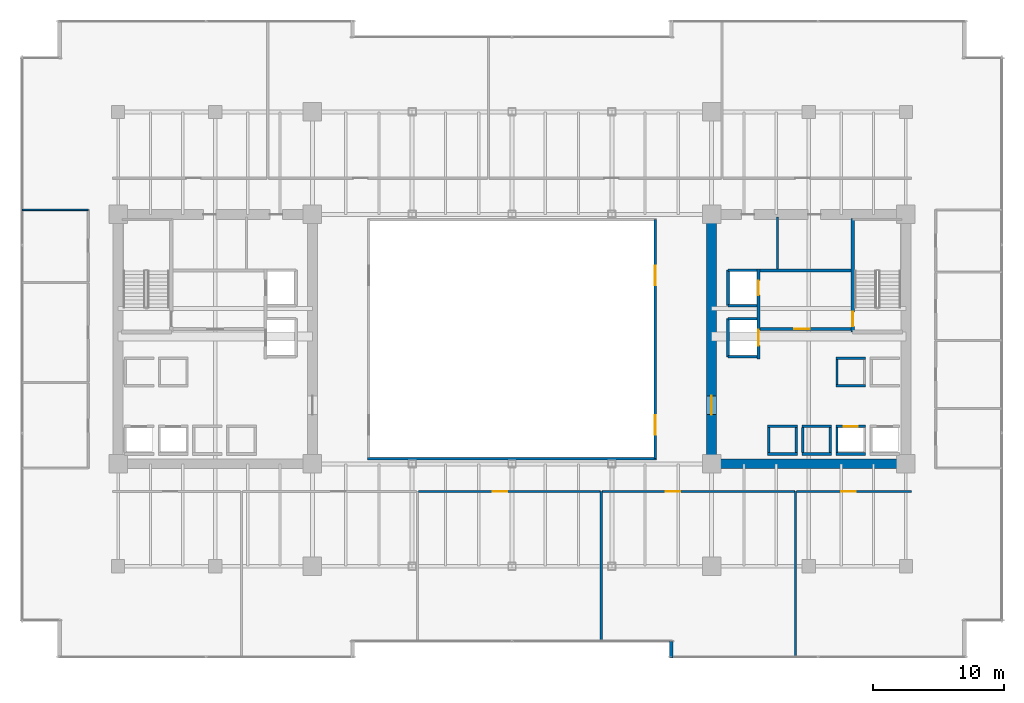
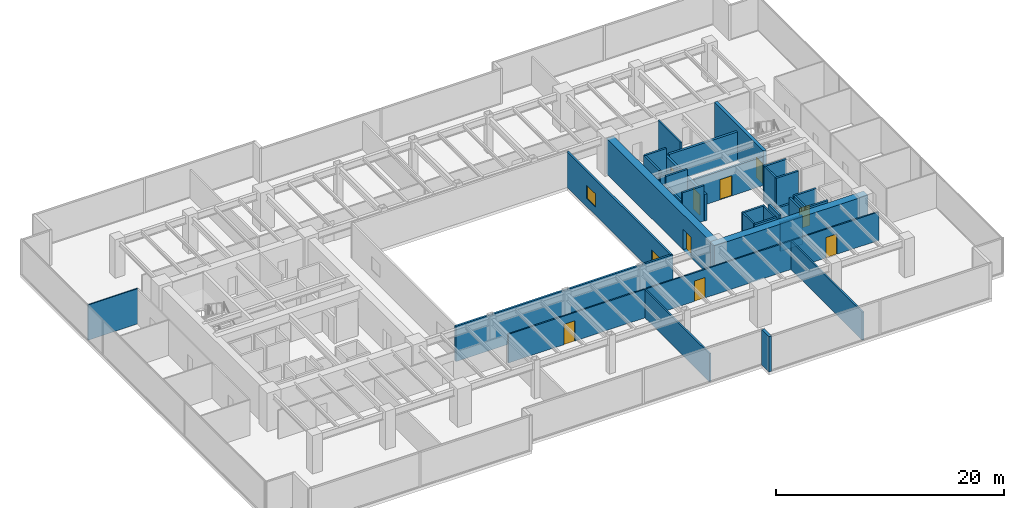
# One storey, part 30 of 35: 36 walls, 9 doors, 2 windows, 11 openings.
"""IFC4 building model written with IfcOpenShell, lengths in metres."""

from ifc_helpers import new_model, si_unit, direction, frame, frame_2d, origin, place, context, subcontext, project, spatial, rectangle, extrude, source, transform, mapped, material, layer, layer_set, type_object, type_shapes, element, fill, save


model = new_model("IFC4")

# Units and contexts
model_context = context("Model", 3, precision=1e-05, world=origin(), true_north=direction((0.0, 1.0)))
body_context = subcontext(model_context, "Body", "Model", "MODEL_VIEW")
ifc_project = project(units=[si_unit("LENGTHUNIT", "METRE"), si_unit("AREAUNIT", "SQUARE_METRE"), si_unit("VOLUMEUNIT", "CUBIC_METRE"), si_unit("PLANEANGLEUNIT", "RADIAN"), si_unit("MASSUNIT", "GRAM", prefix="KILO")], contexts=[model_context])

# Site, building, storey
site_placement = place(None, origin())
site = spatial("IfcSite", under=ifc_project, at=site_placement, CompositionType="ELEMENT")
building_placement = place(site_placement, origin())
building = spatial("IfcBuilding", under=site, at=building_placement, Name="Haelvirn Gate Laboratories", CompositionType="ELEMENT")
storey_placement = place(building_placement, frame((0.0, 0.0, 58.0)))
storey = spatial("IfcBuildingStorey", under=building, at=storey_placement, Name="L14", CompositionType="ELEMENT", Elevation=58.0)

# Walls
ifc_material_1 = material(Name="Thermally-broken bronze aluminium rainscreen & mineral wool", Category="aluminium")
ifc_layer_1 = layer(ifc_material_1, 0.280029296875, Name="EW-TERR-280")
ifc_layer_set_1 = layer_set([ifc_layer_1], Name="Thermally-broken bronze aluminium rainscreen & mineral wool")
wall_type_1 = type_object("IfcWallType", Name="EW-TERR-280", PredefinedType="STANDARD", material=ifc_layer_set_1)
wall_1_placement = place(storey_placement, frame((49.5400390625, 1.2880859375, 0.0), z_axis=(0.0, 0.0, 1.0), x_axis=(0.0, -1.0, 0.0)))
element("IfcWall", 1, at=wall_1_placement, inside=storey, type_object=wall_type_1, Name="L14 Atrium Recess Bronze Return Wall 03", PredefinedType="STANDARD", context=body_context, shape_type="SweptSolid", body=[
    extrude(rectangle(XDim=1.2880859375, YDim=0.280029296875, at=frame_2d((0.64404296875, 0.0))), origin(), (0.0, 0.0, 1.0), 3.780029296875),
])
ifc_material_2 = material(Name="Double-layer acoustic gypsum laboratory partition", Category="gypsum")
ifc_layer_2 = layer(ifc_material_2, 0.159912109375, Name="IW-ACOUST-160")
ifc_layer_set_2 = layer_set([ifc_layer_2], Name="Double-layer acoustic gypsum laboratory partition")
wall_type_2 = type_object("IfcWallType", Name="IW-ACOUST-160", PredefinedType="PARTITIONING", material=ifc_layer_set_2)
wall_2_placement = place(storey_placement, frame((44.199951171875, 1.31005859375, 0.0), z_axis=(0.0, 0.0, 1.0), x_axis=(0.0, 1.0, 0.0)))
element("IfcWall", 2, at=wall_2_placement, inside=storey, type_object=wall_type_2, Name="L14 Interior Wall IW-L14-SDIV-03", PredefinedType="PARTITIONING", context=body_context, shape_type="SweptSolid", body=[
    extrude(rectangle(XDim=11.3798828125, YDim=0.159912109375, at=frame_2d((5.68994140625, 0.0))), origin(), (0.0, 0.0, 1.0), 3.014892578125),
])
wall_3_placement = place(storey_placement, frame((59.0, 0.110107421875, 0.0), z_axis=(0.0, 0.0, 1.0), x_axis=(0.0, 1.0, 0.0)))
element("IfcWall", 3, at=wall_3_placement, inside=storey, type_object=wall_type_2, Name="L14 Interior Wall IW-L14-SDIV-04", PredefinedType="PARTITIONING", context=body_context, shape_type="SweptSolid", body=[
    extrude(rectangle(XDim=12.579833984375, YDim=0.159912109375, at=frame_2d((6.2900390625, 0.0))), origin(), (0.0, 0.0, 1.0), 3.014892578125),
])

# Wall, openings, windows
ifc_material_3 = material(Name="Tempered fire-rated borosilicate glass & anodised aluminium", Category="aluminium")
ifc_layer_3 = layer(ifc_material_3, 0.195068359375, Name="IW-GLAZ-200")
ifc_layer_set_3 = layer_set([ifc_layer_3], Name="Tempered fire-rated borosilicate glass & anodised aluminium")
wall_type_3 = type_object("IfcWallType", Name="IW-GLAZ-200", PredefinedType="SOLIDWALL", material=ifc_layer_set_3)
wall_4_placement = place(storey_placement, frame((48.300048828125, 15.199951171875, 0.0), z_axis=(0.0, 0.0, 1.0), x_axis=(0.0, 1.0, 0.0)))
wall_4 = element("IfcWall", 4, at=wall_4_placement, inside=storey, type_object=wall_type_3, Name="L14 Interior Wall IW-L14-ATRIUM-E", PredefinedType="SOLIDWALL", context=body_context, shape_type="SweptSolid", body=[
    extrude(rectangle(XDim=18.199951171875, YDim=0.195068359375, at=frame_2d((9.10009765625, 0.0))), origin(), (0.0, 0.0, 1.0), 3.780029296875),
])
opening_1_placement = place(wall_4_placement, frame((1.800048828125, 0.0, 0.89990234375)))
opening_1 = element("IfcOpeningElement", 5, at=opening_1_placement, cuts=wall_4, Name="Opening W5", PredefinedType="OPENING", context=body_context, shape_type="SweptSolid", body=[
    extrude(rectangle(XDim=1.5, YDim=1.39990234375, at=frame_2d((0.75, 0.699951171875))), frame((0.0, 0.107421875, 0.0), z_axis=(0.0, -1.0, 0.0), x_axis=(1.0, 0.0, 0.0)), (0.0, 0.0, 1.0), 0.215087890625),
])
opening_2_placement = place(wall_4_placement, frame((13.199951171875, 0.0, 0.89990234375)))
opening_2 = element("IfcOpeningElement", 6, at=opening_2_placement, cuts=wall_4, Name="Opening W5", PredefinedType="OPENING", context=body_context, shape_type="SweptSolid", body=[
    extrude(rectangle(XDim=1.5, YDim=1.39990234375, at=frame_2d((0.75, 0.699951171875))), frame((0.0, 0.107421875, 0.0), z_axis=(0.0, -1.0, 0.0), x_axis=(1.0, 0.0, 0.0)), (0.0, 0.0, 1.0), 0.215087890625),
])
ifc_material_4 = material(Name="Fire-rated EI 120 borosilicate atrium vision glazing", Category="glass")
window_type = type_object("IfcWindowType", Name="WN-ATR-1500", PartitioningType="SINGLE_PANEL", PredefinedType="WINDOW", material=ifc_material_4)
shared_shape_1 = source(origin(), body_context, "Body", "SweptSolid", [
    extrude(rectangle(XDim=1.5, YDim=1.39990234375, at=frame_2d((0.75, 0.699951171875))), frame((0.0, 0.030029296875, 0.0), z_axis=(0.0, -1.0, 0.0), x_axis=(1.0, 0.0, 0.0)), (0.0, 0.0, 1.0), 0.06005859375),
])
type_shapes(window_type, [shared_shape_1])
window_1_placement = place(opening_1_placement, origin())
window_1 = element("IfcWindow", 7, at=window_1_placement, inside=storey, type_object=window_type, Name="L14 Atrium Observation Window 1", OverallHeight=1.39990234375, OverallWidth=1.5, PartitioningType="SINGLE_PANEL", PredefinedType="WINDOW", context=body_context, shape_type="MappedRepresentation", body=[
    mapped(shared_shape_1, transform((0.0, 0.0, 0.0), scale=1.0)),
])
fill(opening_1, window_1)
window_2_placement = place(opening_2_placement, origin())
window_2 = element("IfcWindow", 8, at=window_2_placement, inside=storey, type_object=window_type, Name="L14 Atrium Observation Window 2", OverallHeight=1.39990234375, OverallWidth=1.5, PartitioningType="SINGLE_PANEL", PredefinedType="WINDOW", context=body_context, shape_type="MappedRepresentation", body=[
    mapped(shared_shape_1, transform((0.0, 0.0, 0.0), scale=1.0)),
])
fill(opening_2, window_2)

# Walls
wall_5_placement = place(storey_placement, frame((26.39990234375, 15.199951171875, 0.0), z_axis=(0.0, 0.0, 1.0), x_axis=(1.0, 0.0, 0.0)))
element("IfcWall", 9, at=wall_5_placement, inside=storey, type_object=wall_type_3, Name="L14 Interior Wall IW-L14-ATRIUM-S", PredefinedType="SOLIDWALL", context=body_context, shape_type="SweptSolid", body=[
    extrude(rectangle(XDim=22.0, YDim=0.195068359375, at=frame_2d((11.0, 0.0))), origin(), (0.0, 0.0, 1.0), 3.780029296875),
])
ifc_material_5 = material(Name="Lightweight acoustic gypsum board partition", Category="gypsum")
ifc_layer_4 = layer(ifc_material_5, 0.1201171875, Name="IW-PART-120")
ifc_layer_set_4 = layer_set([ifc_layer_4], Name="Lightweight acoustic gypsum board partition")
wall_type_4 = type_object("IfcWallType", Name="IW-PART-120", PredefinedType="PARTITIONING", material=ifc_layer_set_4)
wall_6_placement = place(storey_placement, frame((0.110107421875, 34.135009765625, 0.0), z_axis=(0.0, 0.0, 1.0), x_axis=(1.0, 0.0, 0.0)))
element("IfcWall", 10, at=wall_6_placement, inside=storey, type_object=wall_type_4, Name="L14 Interior Wall IW-L14-WCAP-N", PredefinedType="PARTITIONING", context=body_context, shape_type="SweptSolid", body=[
    extrude(rectangle(XDim=5.019775390625, YDim=0.1201171875, at=frame_2d((2.509765625, 0.0))), origin(), (0.0, 0.0, 1.0), 3.780029296875),
])

# Wall, opening, door
ifc_material_6 = material(Name="Acoustic mineral-wool gypsum board partition", Category="gypsum")
ifc_layer_5 = layer(ifc_material_6, 0.139892578125, Name="IW-PART-140")
ifc_layer_set_5 = layer_set([ifc_layer_5], Name="Acoustic mineral-wool gypsum board partition")
wall_type_5 = type_object("IfcWallType", Name="IW-PART-140", PredefinedType="PARTITIONING", material=ifc_layer_set_5)
wall_7_placement = place(storey_placement, frame((30.280029296875, 12.68994140625, 0.0), z_axis=(0.0, 0.0, 1.0), x_axis=(1.0, 0.0, 0.0)))
wall_7 = element("IfcWall", 11, at=wall_7_placement, inside=storey, type_object=wall_type_5, Name="L14 Interior Wall IW-L14-SCORR-03", PredefinedType="PARTITIONING", context=body_context, shape_type="SweptSolid", body=[
    extrude(rectangle(XDim=13.840087890625, YDim=0.139892578125, at=frame_2d((6.919921875, 0.0))), origin(), (0.0, 0.0, 1.0), 3.06494140625),
])
opening_3_placement = place(wall_7_placement, frame((5.647705078125, 0.0, 0.0)))
opening_3 = element("IfcOpeningElement", 12, at=opening_3_placement, cuts=wall_7, Name="Opening D1", PredefinedType="OPENING", context=body_context, shape_type="SweptSolid", body=[
    extrude(rectangle(XDim=1.10009765625, YDim=2.179931640625, at=frame_2d((0.550048828125, 1.08984375))), frame((0.0, 0.080078125, 0.0), z_axis=(0.0, -1.0, 0.0), x_axis=(1.0, 0.0, 0.0)), (0.0, 0.0, 1.0), 0.159912109375),
])
ifc_material_7 = material(Name="Vision-panel acoustic solid-core timber lab door", Category="wood")
door_type_1 = type_object("IfcDoorType", Name="DR-LAB-1100", OperationType="NOTDEFINED", PredefinedType="DOOR", material=ifc_material_7)
shared_shape_2 = source(origin(), body_context, "Body", "SweptSolid", [
    extrude(rectangle(XDim=1.10009765625, YDim=2.179931640625, at=frame_2d((0.550048828125, 1.08984375))), frame((0.0, 0.02490234375, 0.0), z_axis=(0.0, -1.0, 0.0), x_axis=(1.0, 0.0, 0.0)), (0.0, 0.0, 1.0), 0.050048828125),
])
type_shapes(door_type_1, [shared_shape_2])
door_1_placement = place(opening_3_placement, origin())
door_1 = element("IfcDoor", 13, at=door_1_placement, inside=storey, type_object=door_type_1, Name="L14 Peer-Review Seminar Room Door S3", OperationType="SINGLE_SWING_LEFT", OverallHeight=2.179931640625, OverallWidth=1.10009765625, PredefinedType="DOOR", context=body_context, shape_type="MappedRepresentation", body=[
    mapped(shared_shape_2, transform((0.0, 0.0, 0.0), scale=1.0)),
])
fill(opening_3, door_1)

wall_8_placement = place(storey_placement, frame((44.280029296875, 12.68994140625, 0.0), z_axis=(0.0, 0.0, 1.0), x_axis=(1.0, 0.0, 0.0)))
wall_8 = element("IfcWall", 14, at=wall_8_placement, inside=storey, type_object=wall_type_5, Name="L14 Interior Wall IW-L14-SCORR-04", PredefinedType="PARTITIONING", context=body_context, shape_type="SweptSolid", body=[
    extrude(rectangle(XDim=14.639892578125, YDim=0.139892578125, at=frame_2d((7.31982421875, 0.0))), origin(), (0.0, 0.0, 1.0), 3.06494140625),
])
opening_4_placement = place(wall_8_placement, frame((4.843994140625, 0.0, 0.0)))
opening_4 = element("IfcOpeningElement", 15, at=opening_4_placement, cuts=wall_8, Name="Opening D1", PredefinedType="OPENING", context=body_context, shape_type="SweptSolid", body=[
    extrude(rectangle(XDim=1.10009765625, YDim=2.179931640625, at=frame_2d((0.550048828125, 1.08984375))), frame((0.0, 0.080078125, 0.0), z_axis=(0.0, -1.0, 0.0), x_axis=(1.0, 0.0, 0.0)), (0.0, 0.0, 1.0), 0.159912109375),
])
door_2_placement = place(opening_4_placement, origin())
door_2 = element("IfcDoor", 16, at=door_2_placement, inside=storey, type_object=door_type_1, Name="L14 Colloquium Conference Room Door S4", OperationType="SINGLE_SWING_RIGHT", OverallHeight=2.179931640625, OverallWidth=1.10009765625, PredefinedType="DOOR", context=body_context, shape_type="MappedRepresentation", body=[
    mapped(shared_shape_2, transform((0.0, 0.0, 0.0), scale=1.0)),
])
fill(opening_4, door_2)

wall_9_placement = place(storey_placement, frame((59.080078125, 12.68994140625, 0.0), z_axis=(0.0, 0.0, 1.0), x_axis=(1.0, 0.0, 0.0)))
wall_9 = element("IfcWall", 17, at=wall_9_placement, inside=storey, type_object=wall_type_5, Name="L14 Interior Wall IW-L14-SCORR-05", PredefinedType="PARTITIONING", context=body_context, shape_type="SweptSolid", body=[
    extrude(rectangle(XDim=8.739990234375, YDim=0.139892578125, at=frame_2d((4.3701171875, 0.0))), origin(), (0.0, 0.0, 1.0), 3.06494140625),
])
opening_5_placement = place(wall_9_placement, frame((3.403564453125, 0.0, 0.0)))
opening_5 = element("IfcOpeningElement", 18, at=opening_5_placement, cuts=wall_9, Name="Opening D1", PredefinedType="OPENING", context=body_context, shape_type="SweptSolid", body=[
    extrude(rectangle(XDim=1.10009765625, YDim=2.179931640625, at=frame_2d((0.550048828125, 1.08984375))), frame((0.0, 0.080078125, 0.0), z_axis=(0.0, -1.0, 0.0), x_axis=(1.0, 0.0, 0.0)), (0.0, 0.0, 1.0), 0.159912109375),
])
door_3_placement = place(opening_5_placement, origin())
door_3 = element("IfcDoor", 19, at=door_3_placement, inside=storey, type_object=door_type_1, Name="L14 Occupational Biosafety Clinic Door S5", OperationType="SINGLE_SWING_LEFT", OverallHeight=2.179931640625, OverallWidth=1.10009765625, PredefinedType="DOOR", context=body_context, shape_type="MappedRepresentation", body=[
    mapped(shared_shape_2, transform((0.0, 0.0, 0.0), scale=1.0)),
])
fill(opening_5, door_3)

# Walls
ifc_material_8 = material(Name="Cement-board restroom plumbing chase wall", Category="gypsum")
ifc_layer_6 = layer(ifc_material_8, 0.155029296875, Name="IW-PLUMB-160")
ifc_layer_set_6 = layer_set([ifc_layer_6], Name="Cement-board restroom plumbing chase wall")
wall_type_6 = type_object("IfcWallType", Name="IW-PLUMB-160", PredefinedType="PLUMBINGWALL", material=ifc_layer_set_6)
wall_10_placement = place(storey_placement, frame((57.610107421875, 29.64990234375, 0.0), z_axis=(0.0, 0.0, 1.0), x_axis=(0.0, 1.0, 0.0)))
element("IfcWall", 20, at=wall_10_placement, inside=storey, type_object=wall_type_6, Name="L14 Interior Wall IW-L14-E-CDIV-1", PredefinedType="PLUMBINGWALL", context=body_context, shape_type="SweptSolid", body=[
    extrude(rectangle(XDim=3.93017578125, YDim=0.155029296875, at=frame_2d((1.965087890625, 0.0))), origin(), (0.0, 0.0, 1.0), 3.780029296875),
])
ifc_material_9 = material(Name="Concrete C40/50", Category="concrete")
ifc_layer_7 = layer(ifc_material_9, 0.179931640625, Name="IW-SHAFT-180")
ifc_layer_set_7 = layer_set([ifc_layer_7], Name="Concrete C40/50")
wall_type_7 = type_object("IfcWallType", Name="IW-SHAFT-180", PredefinedType="SOLIDWALL", material=ifc_layer_set_7)
for number, where, z_axis, x_axis, name in (
    (21, (62.14990234375, 15.64990234375, 0.0), (0.0, 0.0, 1.0), (0.0, 1.0, 0.0), "L14 Interior Wall IW-L14-PL4-SD"),
    (22, (59.550048828125, 15.64990234375, 0.0), (0.0, 0.0, 1.0), (0.0, 1.0, 0.0), "L14 Interior Wall IW-L14-PL7-SD"),
    (23, (61.64990234375, 15.64990234375, 0.0), (0.0, 0.0, 1.0), (0.0, 1.0, 0.0), "L14 Interior Wall IW-L14-PL7-SDE"),
    (24, (56.949951171875, 15.64990234375, 0.0), (0.0, 0.0, 1.0), (0.0, 1.0, 0.0), "L14 Interior Wall IW-L14-PL8-SD"),
    (25, (59.050048828125, 15.64990234375, 0.0), (0.0, 0.0, 1.0), (0.0, 1.0, 0.0), "L14 Interior Wall IW-L14-PL8-SDE"),
):
    element("IfcWall", number, at=place(storey_placement, frame(where, z_axis=z_axis, x_axis=x_axis)), inside=storey, type_object=wall_type_7, Name=name, PredefinedType="SOLIDWALL", context=body_context, shape_type="SweptSolid", body=[
        extrude(rectangle(XDim=1.900146484375, YDim=0.179931640625, at=frame_2d((0.9501953125, 0.0))), origin(), (0.0, 0.0, 1.0), 3.780029296875),
    ])
wall_11_placement = place(storey_placement, frame((62.14990234375, 20.85009765625, 0.0), z_axis=(0.0, 0.0, 1.0), x_axis=(0.0, 1.0, 0.0)))
element("IfcWall", 26, at=wall_11_placement, inside=storey, type_object=wall_type_7, Name="L14 Interior Wall IW-L14-PL12-SD", PredefinedType="SOLIDWALL", context=body_context, shape_type="SweptSolid", body=[
    extrude(rectangle(XDim=1.89990234375, YDim=0.179931640625, at=frame_2d((0.949951171875, 0.0))), origin(), (0.0, 0.0, 1.0), 3.780029296875),
])

# Wall, opening, door
ifc_layer_8 = layer(ifc_material_9, 0.199951171875, Name="IW-SHAFT-200")
ifc_layer_set_8 = layer_set([ifc_layer_8], Name="Concrete C40/50")
wall_type_8 = type_object("IfcWallType", Name="IW-SHAFT-200", PredefinedType="SOLIDWALL", material=ifc_layer_set_8)
wall_12_placement = place(storey_placement, frame((62.070068359375, 17.64990234375, 0.0), z_axis=(0.0, 0.0, 1.0), x_axis=(1.0, 0.0, 0.0)))
wall_12 = element("IfcWall", 27, at=wall_12_placement, inside=storey, type_object=wall_type_8, Name="L14 Interior Wall IW-L14-PL4-FR", PredefinedType="SOLIDWALL", context=body_context, shape_type="SweptSolid", body=[
    extrude(rectangle(XDim=2.260009765625, YDim=0.199951171875, at=frame_2d((1.1298828125, 0.0))), origin(), (0.0, 0.0, 1.0), 3.780029296875),
])
opening_6_placement = place(wall_12_placement, frame((0.580078125, 0.0, 0.0)))
opening_6 = element("IfcOpeningElement", 28, at=opening_6_placement, cuts=wall_12, Name="Opening LD2", PredefinedType="OPENING", context=body_context, shape_type="SweptSolid", body=[
    extrude(rectangle(XDim=1.10009765625, YDim=2.219970703125, at=frame_2d((0.550048828125, 1.10986328125))), frame((0.0, 0.10986328125, 0.0), z_axis=(0.0, -1.0, 0.0), x_axis=(1.0, 0.0, 0.0)), (0.0, 0.0, 1.0), 0.219970703125),
])
ifc_material_10 = material(Name="Bronze stainless 316L sliding lift landing door")
door_type_2 = type_object("IfcDoorType", Name="DR-LD-1100", OperationType="NOTDEFINED", PredefinedType="USERDEFINED", material=ifc_material_10)
shared_shape_3 = source(origin(), body_context, "Body", "SweptSolid", [
    extrude(rectangle(XDim=1.10009765625, YDim=2.219970703125, at=frame_2d((0.550048828125, 1.10986328125))), frame((0.0, 0.02490234375, 0.0), z_axis=(0.0, -1.0, 0.0), x_axis=(1.0, 0.0, 0.0)), (0.0, 0.0, 1.0), 0.050048828125),
])
type_shapes(door_type_2, [shared_shape_3])
door_4_placement = place(opening_6_placement, origin())
door_4 = element("IfcDoor", 29, at=door_4_placement, inside=storey, type_object=door_type_2, Name="L14 Passenger Lift PL4 Landing Door", ObjectType="LANDING_DOOR", OperationType="SLIDING_TO_RIGHT", OverallHeight=2.219970703125, OverallWidth=1.10009765625, PredefinedType="USERDEFINED", context=body_context, shape_type="MappedRepresentation", body=[
    mapped(shared_shape_3, transform((0.0, 0.0, 0.0), scale=1.0)),
])
fill(opening_6, door_4)

# Walls
wall_13_placement = place(storey_placement, frame((62.070068359375, 15.550048828125, 0.0), z_axis=(0.0, 0.0, 1.0), x_axis=(1.0, 0.0, 0.0)))
element("IfcWall", 30, at=wall_13_placement, inside=storey, type_object=wall_type_8, Name="L14 Interior Wall IW-L14-PL4-BK", PredefinedType="SOLIDWALL", context=body_context, shape_type="SweptSolid", body=[
    extrude(rectangle(XDim=2.260009765625, YDim=0.199951171875, at=frame_2d((1.1298828125, 0.0))), origin(), (0.0, 0.0, 1.0), 3.780029296875),
])
for number, where, z_axis, x_axis, name in (
    (31, (59.469970703125, 17.64990234375, 0.0), (0.0, 0.0, 1.0), (1.0, 0.0, 0.0), "L14 Interior Wall IW-L14-PL7-FR"),
    (32, (59.469970703125, 15.550048828125, 0.0), (0.0, 0.0, 1.0), (1.0, 0.0, 0.0), "L14 Interior Wall IW-L14-PL7-BK"),
):
    element("IfcWall", number, at=place(storey_placement, frame(where, z_axis=z_axis, x_axis=x_axis)), inside=storey, type_object=wall_type_8, Name=name, PredefinedType="SOLIDWALL", context=body_context, shape_type="SweptSolid", body=[
        extrude(rectangle(XDim=2.260009765625, YDim=0.199951171875, at=frame_2d((1.1298828125, 0.0))), origin(), (0.0, 0.0, 1.0), 3.06494140625),
    ])
for number, where, z_axis, x_axis, name in (
    (33, (56.8701171875, 17.64990234375, 0.0), (0.0, 0.0, 1.0), (1.0, 0.0, 0.0), "L14 Interior Wall IW-L14-PL8-FR"),
    (34, (56.8701171875, 15.550048828125, 0.0), (0.0, 0.0, 1.0), (1.0, 0.0, 0.0), "L14 Interior Wall IW-L14-PL8-BK"),
):
    element("IfcWall", number, at=place(storey_placement, frame(where, z_axis=z_axis, x_axis=x_axis)), inside=storey, type_object=wall_type_8, Name=name, PredefinedType="SOLIDWALL", context=body_context, shape_type="SweptSolid", body=[
        extrude(rectangle(XDim=2.259765625, YDim=0.199951171875, at=frame_2d((1.1298828125, 0.0))), origin(), (0.0, 0.0, 1.0), 3.780029296875),
    ])
for number, where, z_axis, x_axis, name in (
    (35, (62.070068359375, 20.75, 0.0), (0.0, 0.0, 1.0), (1.0, 0.0, 0.0), "L14 Interior Wall IW-L14-PL12-FR"),
    (36, (62.070068359375, 22.85009765625, 0.0), (0.0, 0.0, 1.0), (1.0, 0.0, 0.0), "L14 Interior Wall IW-L14-PL12-BK"),
):
    element("IfcWall", number, at=place(storey_placement, frame(where, z_axis=z_axis, x_axis=x_axis)), inside=storey, type_object=wall_type_8, Name=name, PredefinedType="SOLIDWALL", context=body_context, shape_type="SweptSolid", body=[
        extrude(rectangle(XDim=2.260009765625, YDim=0.199951171875, at=frame_2d((1.1298828125, 0.0))), origin(), (0.0, 0.0, 1.0), 3.780029296875),
    ])
wall_14_placement = place(storey_placement, frame((53.85009765625, 26.85009765625, 0.0), z_axis=(0.0, 0.0, 1.0), x_axis=(0.0, 1.0, 0.0)))
element("IfcWall", 37, at=wall_14_placement, inside=storey, type_object=wall_type_8, Name="L14 Interior Wall IW-L14-FL2-BK", PredefinedType="SOLIDWALL", context=body_context, shape_type="SweptSolid", body=[
    extrude(rectangle(XDim=2.699951171875, YDim=0.199951171875, at=frame_2d((1.35009765625, 0.0))), origin(), (0.0, 0.0, 1.0), 3.780029296875),
])
wall_15_placement = place(storey_placement, frame((53.85009765625, 29.550048828125, 0.0), z_axis=(0.0, 0.0, 1.0), x_axis=(1.0, 0.0, 0.0)))
element("IfcWall", 38, at=wall_15_placement, inside=storey, type_object=wall_type_8, Name="L14 Interior Wall IW-L14-FL2-N", PredefinedType="SOLIDWALL", context=body_context, shape_type="SweptSolid", body=[
    extrude(rectangle(XDim=2.18994140625, YDim=0.199951171875, at=frame_2d((1.094970703125, 0.0))), origin(), (0.0, 0.0, 1.0), 3.780029296875),
])
wall_16_placement = place(storey_placement, frame((53.85009765625, 26.85009765625, 0.0), z_axis=(0.0, 0.0, 1.0), x_axis=(1.0, 0.0, 0.0)))
element("IfcWall", 39, at=wall_16_placement, inside=storey, type_object=wall_type_8, Name="L14 Interior Wall IW-L14-FL2-S", PredefinedType="SOLIDWALL", context=body_context, shape_type="SweptSolid", body=[
    extrude(rectangle(XDim=2.18994140625, YDim=0.199951171875, at=frame_2d((1.094970703125, 0.0))), origin(), (0.0, 0.0, 1.0), 3.177001953125),
])
wall_17_placement = place(storey_placement, frame((53.85009765625, 22.949951171875, 0.0), z_axis=(0.0, 0.0, 1.0), x_axis=(0.0, 1.0, 0.0)))
element("IfcWall", 40, at=wall_17_placement, inside=storey, type_object=wall_type_8, Name="L14 Interior Wall IW-L14-SL2-BK", PredefinedType="SOLIDWALL", context=body_context, shape_type="SweptSolid", body=[
    extrude(rectangle(XDim=2.900146484375, YDim=0.199951171875, at=frame_2d((1.4501953125, 0.0))), origin(), (0.0, 0.0, 1.0), 2.864990234375),
])
for number, where, z_axis, x_axis, name in (
    (41, (53.85009765625, 25.85009765625, 0.0), (0.0, 0.0, 1.0), (1.0, 0.0, 0.0), "L14 Interior Wall IW-L14-SL2-N"),
    (42, (53.85009765625, 22.949951171875, 0.0), (0.0, 0.0, 1.0), (1.0, 0.0, 0.0), "L14 Interior Wall IW-L14-SL2-S"),
):
    element("IfcWall", number, at=place(storey_placement, frame(where, z_axis=z_axis, x_axis=x_axis)), inside=storey, type_object=wall_type_8, Name=name, PredefinedType="SOLIDWALL", context=body_context, shape_type="SweptSolid", body=[
        extrude(rectangle(XDim=2.18994140625, YDim=0.199951171875, at=frame_2d((1.094970703125, 0.0))), origin(), (0.0, 0.0, 1.0), 3.780029296875),
    ])

# Wall, opening, door
ifc_layer_9 = layer(ifc_material_9, 0.239990234375, Name="IW-SHAFT-240")
ifc_layer_set_9 = layer_set([ifc_layer_9], Name="Concrete C40/50")
wall_type_9 = type_object("IfcWallType", Name="IW-SHAFT-240", PredefinedType="SOLIDWALL", material=ifc_layer_set_9)
wall_18_placement = place(storey_placement, frame((56.280029296875, 25.080078125, 0.0), z_axis=(0.0, 0.0, 1.0), x_axis=(1.0, 0.0, 0.0)))
wall_18 = element("IfcWall", 43, at=wall_18_placement, inside=storey, type_object=wall_type_9, Name="L14 Interior Wall IW-L14-E-FF-S", PredefinedType="SOLIDWALL", context=body_context, shape_type="SweptSolid", body=[
    extrude(rectangle(XDim=6.919921875, YDim=0.239990234375, at=frame_2d((3.4599609375, 0.0))), origin(), (0.0, 0.0, 1.0), 3.06494140625),
])
opening_7_placement = place(wall_18_placement, frame((2.60009765625, 0.0, 0.0)))
opening_7 = element("IfcOpeningElement", 44, at=opening_7_placement, cuts=wall_18, Name="Opening FD2", PredefinedType="OPENING", context=body_context, shape_type="SweptSolid", body=[
    extrude(rectangle(XDim=1.199951171875, YDim=2.159912109375, at=frame_2d((0.60009765625, 1.080078125))), frame((0.0, 0.1298828125, 0.0), z_axis=(0.0, -1.0, 0.0), x_axis=(1.0, 0.0, 0.0)), (0.0, 0.0, 1.0), 0.260009765625),
])
ifc_material_11 = material(Name="Fire-rated steel SM355 compartment door", Category="steel")
door_type_3 = type_object("IfcDoorType", Name="DR-FD-1200", OperationType="NOTDEFINED", PredefinedType="DOOR", material=ifc_material_11)
shared_shape_4 = source(origin(), body_context, "Body", "SweptSolid", [
    extrude(rectangle(XDim=1.199951171875, YDim=2.159912109375, at=frame_2d((0.60009765625, 1.080078125))), frame((0.0, 0.02490234375, 0.0), z_axis=(0.0, -1.0, 0.0), x_axis=(1.0, 0.0, 0.0)), (0.0, 0.0, 1.0), 0.050048828125),
])
type_shapes(door_type_3, [shared_shape_4])
door_5_placement = place(opening_7_placement, origin())
door_5 = element("IfcDoor", 45, at=door_5_placement, inside=storey, type_object=door_type_3, Name="L14 East Firefighting Lobby Door", OperationType="SINGLE_SWING_LEFT", OverallHeight=2.159912109375, OverallWidth=1.199951171875, PredefinedType="DOOR", context=body_context, shape_type="MappedRepresentation", body=[
    mapped(shared_shape_4, transform((0.0, 0.0, 0.0), scale=1.0)),
])
fill(opening_7, door_5)

# Wall
wall_19_placement = place(storey_placement, frame((56.280029296875, 29.52001953125, 0.0), z_axis=(0.0, 0.0, 1.0), x_axis=(1.0, 0.0, 0.0)))
element("IfcWall", 46, at=wall_19_placement, inside=storey, type_object=wall_type_9, Name="L14 Interior Wall IW-L14-E-FF-N", PredefinedType="SOLIDWALL", context=body_context, shape_type="SweptSolid", body=[
    extrude(rectangle(XDim=6.919921875, YDim=0.239990234375, at=frame_2d((3.4599609375, 0.0))), origin(), (0.0, 0.0, 1.0), 3.06494140625),
])

# Wall, openings, doors
wall_20_placement = place(storey_placement, frame((56.159912109375, 22.800048828125, 0.0), z_axis=(0.0, 0.0, 1.0), x_axis=(0.0, 1.0, 0.0)))
wall_20 = element("IfcWall", 47, at=wall_20_placement, inside=storey, type_object=wall_type_9, Name="L14 Interior Wall IW-L14-E-FF-E", PredefinedType="SOLIDWALL", context=body_context, shape_type="SweptSolid", body=[
    extrude(rectangle(XDim=6.849853515625, YDim=0.239990234375, at=frame_2d((3.4248046875, 0.0))), origin(), (0.0, 0.0, 1.0), 2.864990234375),
])
opening_8_placement = place(wall_20_placement, frame((4.85009765625, 0.0, 0.0)))
opening_8 = element("IfcOpeningElement", 48, at=opening_8_placement, cuts=wall_20, Name="Opening LD2", PredefinedType="OPENING", context=body_context, shape_type="SweptSolid", body=[
    extrude(rectangle(XDim=1.10009765625, YDim=2.219970703125, at=frame_2d((0.550048828125, 1.10986328125))), frame((0.0, 0.1298828125, 0.0), z_axis=(0.0, -1.0, 0.0), x_axis=(1.0, 0.0, 0.0)), (0.0, 0.0, 1.0), 0.260009765625),
])
opening_9_placement = place(wall_20_placement, frame((1.0, 0.0, 0.0)))
opening_9 = element("IfcOpeningElement", 49, at=opening_9_placement, cuts=wall_20, Name="Opening LD1", PredefinedType="OPENING", context=body_context, shape_type="SweptSolid", body=[
    extrude(rectangle(XDim=1.199951171875, YDim=2.219970703125, at=frame_2d((0.60009765625, 1.10986328125))), frame((0.0, 0.1298828125, 0.0), z_axis=(0.0, -1.0, 0.0), x_axis=(1.0, 0.0, 0.0)), (0.0, 0.0, 1.0), 0.260009765625),
])
door_6_placement = place(opening_8_placement, origin())
door_6 = element("IfcDoor", 50, at=door_6_placement, inside=storey, type_object=door_type_2, Name="L14 Firefighting Lift FL2 Landing Door", ObjectType="LANDING_DOOR", OperationType="SLIDING_TO_RIGHT", OverallHeight=2.219970703125, OverallWidth=1.10009765625, PredefinedType="USERDEFINED", context=body_context, shape_type="MappedRepresentation", body=[
    mapped(shared_shape_3, transform((0.0, 0.0, 0.0), scale=1.0)),
])
fill(opening_8, door_6)
ifc_material_12 = material(Name="Stainless steel 316L sliding goods landing door", Category="steel")
door_type_4 = type_object("IfcDoorType", Name="DR-LD-1200", OperationType="NOTDEFINED", PredefinedType="USERDEFINED", material=ifc_material_12)
shared_shape_5 = source(origin(), body_context, "Body", "SweptSolid", [
    extrude(rectangle(XDim=1.199951171875, YDim=2.219970703125, at=frame_2d((0.60009765625, 1.10986328125))), frame((0.0, 0.02490234375, 0.0), z_axis=(0.0, -1.0, 0.0), x_axis=(1.0, 0.0, 0.0)), (0.0, 0.0, 1.0), 0.050048828125),
])
type_shapes(door_type_4, [shared_shape_5])
door_7_placement = place(opening_9_placement, origin())
door_7 = element("IfcDoor", 51, at=door_7_placement, inside=storey, type_object=door_type_4, Name="L14 Service Lift SL2 Landing Door", ObjectType="LANDING_DOOR", OperationType="SLIDING_TO_LEFT", OverallHeight=2.219970703125, OverallWidth=1.199951171875, PredefinedType="USERDEFINED", context=body_context, shape_type="MappedRepresentation", body=[
    mapped(shared_shape_5, transform((0.0, 0.0, 0.0), scale=1.0)),
])
fill(opening_9, door_7)

# Wall
ifc_material_13 = material(Name="Concrete C70/85", Category="concrete")
ifc_layer_10 = layer(ifc_material_13, 0.75, Name="SW-CORE-750")
ifc_layer_set_10 = layer_set([ifc_layer_10], Name="Concrete C70/85")
wall_type_10 = type_object("IfcWallType", Name="SW-CORE-750", PredefinedType="SHEAR", material=ifc_layer_set_10)
wall_21_placement = place(storey_placement, frame((52.22509765625, 14.800048828125, 0.0), z_axis=(0.0, 0.0, 1.0), x_axis=(1.0, 0.0, 0.0)))
element("IfcWall", 52, at=wall_21_placement, inside=storey, type_object=wall_type_10, Name="L14 E Core Shear Wall S", PredefinedType="SHEAR", context=body_context, shape_type="SweptSolid", body=[
    extrude(rectangle(XDim=15.5498046875, YDim=0.75, at=frame_2d((7.77490234375, 0.0))), origin(), (0.0, 0.0, 1.0), 3.780029296875),
])

# Wall, opening, door
wall_22_placement = place(storey_placement, frame((52.60009765625, 15.175048828125, 0.0), z_axis=(0.0, 0.0, 1.0), x_axis=(0.0, 1.0, 0.0)))
wall_22 = element("IfcWall", 53, at=wall_22_placement, inside=storey, type_object=wall_type_10, Name="L14 E Core Shear Wall W", PredefinedType="SHEAR", context=body_context, shape_type="SweptSolid", body=[
    extrude(rectangle(XDim=18.25, YDim=0.75, at=frame_2d((9.125, 0.0))), origin(), (0.0, 0.0, 1.0), 3.780029296875),
])
opening_10_placement = place(wall_22_placement, frame((3.375, 0.0, 0.0)))
opening_10 = element("IfcOpeningElement", 54, at=opening_10_placement, cuts=wall_22, Name="Opening FD1", PredefinedType="OPENING", context=body_context, shape_type="SweptSolid", body=[
    extrude(rectangle(XDim=1.419921875, YDim=2.199951171875, at=frame_2d((0.7099609375, 1.10009765625))), frame((0.0, 0.385009765625, 0.0), z_axis=(0.0, -1.0, 0.0), x_axis=(1.0, 0.0, 0.0)), (0.0, 0.0, 1.0), 0.77001953125),
])
ifc_material_14 = material(Name="Fire-rated double steel SM355 lobby door", Category="steel")
door_type_5 = type_object("IfcDoorType", Name="DR-FD-1400", OperationType="NOTDEFINED", PredefinedType="DOOR", material=ifc_material_14)
shared_shape_6 = source(origin(), body_context, "Body", "SweptSolid", [
    extrude(rectangle(XDim=1.419921875, YDim=2.199951171875, at=frame_2d((0.7099609375, 1.10009765625))), frame((0.0, 0.02490234375, 0.0), z_axis=(0.0, -1.0, 0.0), x_axis=(1.0, 0.0, 0.0)), (0.0, 0.0, 1.0), 0.050048828125),
])
type_shapes(door_type_5, [shared_shape_6])
door_8_placement = place(opening_10_placement, origin())
door_8 = element("IfcDoor", 55, at=door_8_placement, inside=storey, type_object=door_type_5, Name="L14 East Core Lift Lobby Fire Door", OperationType="DOUBLE_DOOR_SINGLE_SWING", OverallHeight=2.199951171875, OverallWidth=1.419921875, PredefinedType="DOOR", context=body_context, shape_type="MappedRepresentation", body=[
    mapped(shared_shape_6, transform((0.0, 0.0, 0.0), scale=1.0)),
])
fill(opening_10, door_8)

ifc_material_15 = material(Name="Concrete C50/60", Category="concrete")
ifc_layer_11 = layer(ifc_material_15, 0.300048828125, Name="SW-STAIR-300")
ifc_layer_set_11 = layer_set([ifc_layer_11], Name="Concrete C50/60")
wall_type_11 = type_object("IfcWallType", Name="SW-STAIR-300", PredefinedType="SHEAR", material=ifc_layer_set_11)
wall_23_placement = place(storey_placement, frame((63.35009765625, 24.85009765625, 0.0), z_axis=(0.0, 0.0, 1.0), x_axis=(0.0, 1.0, 0.0)))
wall_23 = element("IfcWall", 56, at=wall_23_placement, inside=storey, type_object=wall_type_11, Name="L14 E Core Stair Shaft Structural Wall IN", PredefinedType="SHEAR", context=body_context, shape_type="SweptSolid", body=[
    extrude(rectangle(XDim=8.6298828125, YDim=0.300048828125, at=frame_2d((4.31494140625, 0.0))), origin(), (0.0, 0.0, 1.0), 3.780029296875),
])
opening_11_placement = place(wall_23_placement, frame((0.419921875, 0.0, 0.0)))
opening_11 = element("IfcOpeningElement", 57, at=opening_11_placement, cuts=wall_23, Name="Opening FD3", PredefinedType="OPENING", context=body_context, shape_type="SweptSolid", body=[
    extrude(rectangle(XDim=1.10009765625, YDim=2.14990234375, at=frame_2d((0.550048828125, 1.074951171875))), frame((0.0, 0.16015625, 0.0), z_axis=(0.0, -1.0, 0.0), x_axis=(1.0, 0.0, 0.0)), (0.0, 0.0, 1.0), 0.320068359375),
])
ifc_material_16 = material(Name="Fire-rated steel SM355 escape stair door", Category="steel")
door_type_6 = type_object("IfcDoorType", Name="DR-FD-1100", OperationType="NOTDEFINED", PredefinedType="DOOR", material=ifc_material_16)
shared_shape_7 = source(origin(), body_context, "Body", "SweptSolid", [
    extrude(rectangle(XDim=1.10009765625, YDim=2.14990234375, at=frame_2d((0.550048828125, 1.074951171875))), frame((0.0, 0.02490234375, 0.0), z_axis=(0.0, -1.0, 0.0), x_axis=(1.0, 0.0, 0.0)), (0.0, 0.0, 1.0), 0.050048828125),
])
type_shapes(door_type_6, [shared_shape_7])
door_9_placement = place(opening_11_placement, origin())
door_9 = element("IfcDoor", 58, at=door_9_placement, inside=storey, type_object=door_type_6, Name="L14 Escape Stair ST2 Fire Door", OperationType="SINGLE_SWING_RIGHT", OverallHeight=2.14990234375, OverallWidth=1.10009765625, PredefinedType="DOOR", context=body_context, shape_type="MappedRepresentation", body=[
    mapped(shared_shape_7, transform((0.0, 0.0, 0.0), scale=1.0)),
])
fill(opening_11, door_9)

save(model, "model.ifc")
